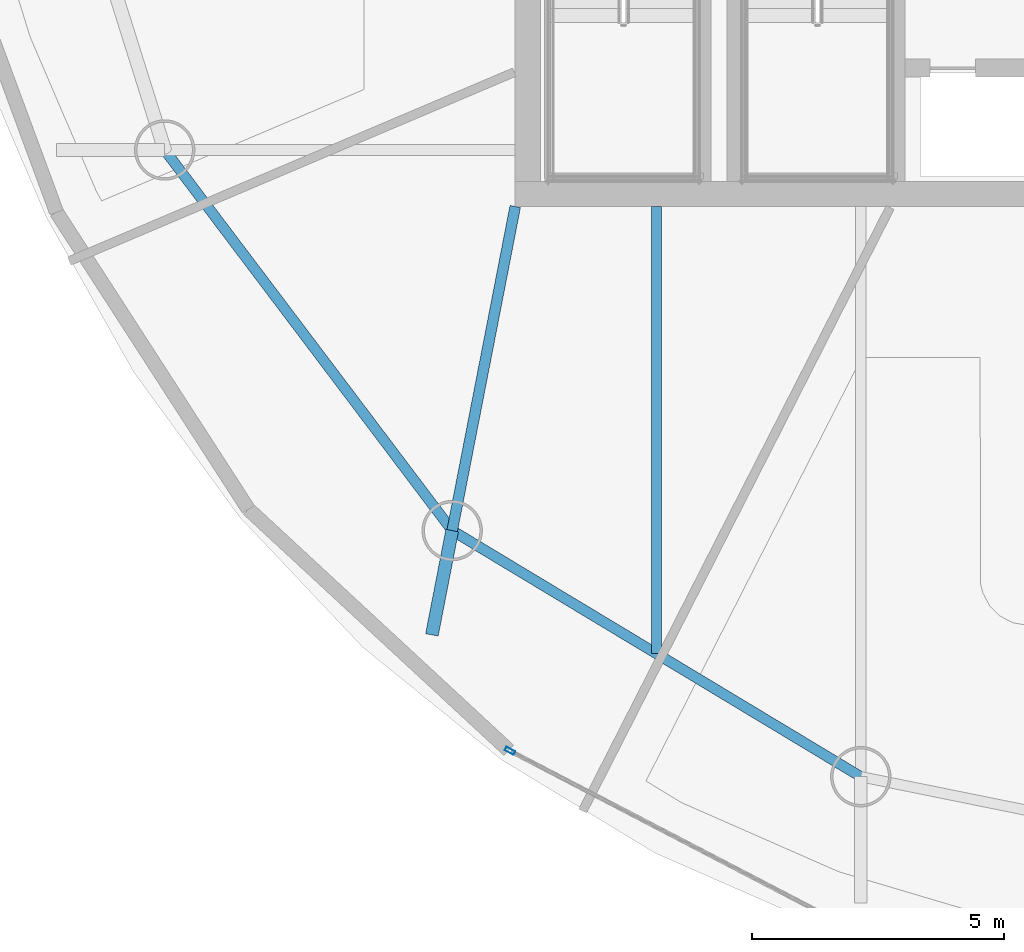
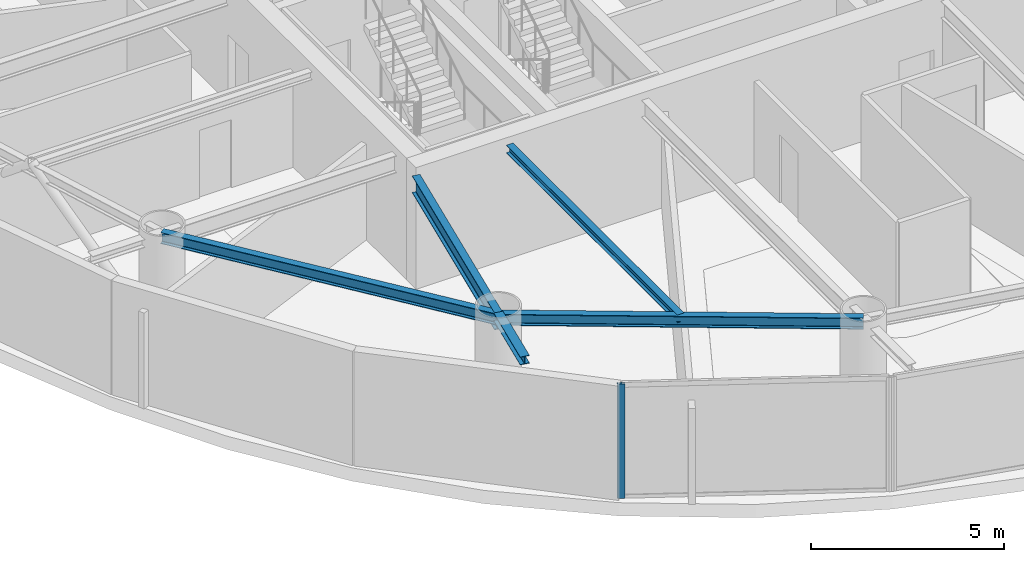
# One storey, part 2 of 25: 5 beams, 1 member, 1 element without a shape of its own.
"""IFC4 building model written with IfcOpenShell, lengths in metres."""

from ifc_helpers import new_model, si_unit, direction, frame, origin, origin_2d, place, context, subcontext, project, spatial, hollow_rectangle, i_section, extrude, material, layer, layer_set, material_profile, profile_set, type_object, element, aggregate, save


model = new_model("IFC4")

# Units and contexts
model_context = context("Model", 3, precision=1e-05, world=origin(), true_north=direction((0.0, 1.0)))
body_context = subcontext(model_context, "Body", "Model", "MODEL_VIEW")
ifc_project = project(units=[si_unit("LENGTHUNIT", "METRE"), si_unit("AREAUNIT", "SQUARE_METRE"), si_unit("VOLUMEUNIT", "CUBIC_METRE"), si_unit("PLANEANGLEUNIT", "RADIAN"), si_unit("MASSUNIT", "GRAM", prefix="KILO")], contexts=[model_context])

# Site, building, storey
site_placement = place(None, origin())
site = spatial("IfcSite", under=ifc_project, at=site_placement, CompositionType="ELEMENT")
building_placement = place(site_placement, origin())
building = spatial("IfcBuilding", under=site, at=building_placement, Name="Bramvorn Convention Spire", CompositionType="ELEMENT")
storey_placement = place(building_placement, frame((0.0, 0.0, 171.199951171875)))
storey = spatial("IfcBuildingStorey", under=building, at=storey_placement, Name="L43", CompositionType="ELEMENT", Elevation=171.199951171875)

# Beams
ifc_material_1 = material(Name="Steel CSA G40.21 Grade 350 (350W)", Category="steel")
ifc_material_profile_1 = material_profile(ifc_material_1, i_section(OverallWidth=0.201904296875, OverallDepth=0.2470703125, WebThickness=0.00732421875, FlangeThickness=0.010986328125, FilletRadius=0.011962890625, at=origin_2d()))
ifc_profile_set_1 = profile_set([ifc_material_profile_1], Name="Steel CSA G40.21 Grade 350 (350W) - W250X49")
beam_type_1 = type_object("IfcBeamType", Name="BM-W250X49", PredefinedType="JOIST", material=ifc_profile_set_1)
beam_1_placement = place(storey_placement, frame((29.554443359375, 18.550048828125, 3.49658203125), z_axis=(0.0, -1.0, 0.0), x_axis=(1.0, 0.0, 0.0)))
element("IfcBeam", 1, at=beam_1_placement, inside=storey, type_object=beam_type_1, Name="L43 composite floor joist 13", PredefinedType="JOIST", context=body_context, shape_type="SweptSolid", body=[
    extrude(i_section(OverallWidth=0.201904296875, OverallDepth=0.2470703125, WebThickness=0.00732421875, FlangeThickness=0.010986328125, FilletRadius=0.011962890625, at=origin_2d()), origin(), (0.0, 0.0, 1.0), 8.878662109375),
])
ifc_material_profile_2 = material_profile(ifc_material_1, i_section(OverallWidth=0.25390625, OverallDepth=0.2529296875, WebThickness=0.008544921875, FlangeThickness=0.01416015625, FilletRadius=0.011962890625, at=origin_2d()))
ifc_profile_set_2 = profile_set([ifc_material_profile_2], Name="Steel CSA G40.21 Grade 350 (350W) - W250X73")
beam_type_2 = type_object("IfcBeamType", Name="BM-W250X73", PredefinedType="BEAM", material=ifc_profile_set_2)
beam_2_placement = place(storey_placement, frame((25.498046875, 12.114990234375, 3.49365234375), z_axis=(-0.190971888372, -0.98159550623, 0.0), x_axis=(0.98159550623, -0.190971888372, 0.0)))
element("IfcBeam", 2, at=beam_2_placement, inside=storey, type_object=beam_type_2, Name="L43 slab-edge cantilever tip beam MC13", PredefinedType="BEAM", context=body_context, shape_type="SweptSolid", body=[
    extrude(i_section(OverallWidth=0.25390625, OverallDepth=0.2529296875, WebThickness=0.008544921875, FlangeThickness=0.01416015625, FilletRadius=0.011962890625, at=origin_2d()), origin(), (0.0, 0.0, 1.0), 2.109375),
])
ifc_material_profile_3 = material_profile(ifc_material_1, i_section(OverallWidth=0.205078125, OverallDepth=0.35400390625, WebThickness=0.009521484375, FlangeThickness=0.016845703125, FilletRadius=0.014892578125, at=origin_2d()))
ifc_profile_set_3 = profile_set([ifc_material_profile_3], Name="Steel CSA G40.21 Grade 350 (350W) - W360X79")
beam_type_3 = type_object("IfcBeamType", Name="BM-W360X79", PredefinedType="JOIST", material=ifc_profile_set_3)
for number, where, z_axis, x_axis, name in (
    (3, (19.78955078125, 19.672607421875, 3.443115234375), (0.602718581414, -0.797953827999, 0.0), (0.797953827999, 0.602718581414, 0.0), "L43 mega-column ring beam 12"),
    (4, (25.498046875, 12.114990234375, 3.443115234375), (0.856581795745, -0.516011266543, 0.0), (0.516011266543, 0.856581795745, 0.0), "L43 mega-column ring beam 13"),
):
    element("IfcBeam", number, at=place(storey_placement, frame(where, z_axis=z_axis, x_axis=x_axis)), inside=storey, type_object=beam_type_3, Name=name, PredefinedType="JOIST", context=body_context, shape_type="SweptSolid", body=[
        extrude(i_section(OverallWidth=0.205078125, OverallDepth=0.35400390625, WebThickness=0.009521484375, FlangeThickness=0.016845703125, FilletRadius=0.014892578125, at=origin_2d()), origin(), (0.0, 0.0, 1.0), 9.47119140625),
    ])
ifc_material_profile_4 = material_profile(ifc_material_1, i_section(OverallWidth=0.2119140625, OverallDepth=0.5439453125, WebThickness=0.01318359375, FlangeThickness=0.021240234375, FilletRadius=0.01904296875, at=origin_2d()))
ifc_profile_set_4 = profile_set([ifc_material_profile_4], Name="Steel CSA G40.21 Grade 350 (350W) - W530X123")
beam_type_4 = type_object("IfcBeamType", Name="BM-W530X123", PredefinedType="BEAM", material=ifc_profile_set_4)
beam_3_placement = place(storey_placement, frame((26.75, 18.550048828125, 3.34814453125), z_axis=(-0.190971329886, -0.981595614885, 0.0), x_axis=(0.981595614885, -0.190971329886, 0.0)))
element("IfcBeam", 5, at=beam_3_placement, inside=storey, type_object=beam_type_4, Name="L43 radial floor girder MC13", PredefinedType="BEAM", context=body_context, shape_type="SweptSolid", body=[
    extrude(i_section(OverallWidth=0.2119140625, OverallDepth=0.5439453125, WebThickness=0.01318359375, FlangeThickness=0.021240234375, FilletRadius=0.01904296875, at=origin_2d()), origin(), (0.0, 0.0, 1.0), 6.5556640625),
])

# Curtain wall, member
ifc_material_2 = material(Name="Anodised Bronze Unitised Curtain Wall", Category="aluminium")
ifc_layer = layer(ifc_material_2, 0.179931640625)
ifc_layer_set = layer_set([ifc_layer], Name="Anodised Bronze Unitised Curtain Wall - CW-OFF-FRIT")
curtain_wall_type = type_object("IfcCurtainWallType", Name="CW-OFF-FRIT", PredefinedType="USERDEFINED", material=ifc_layer_set)
curtain_wall_placement = place(storey_placement, origin())
curtain_wall = element("IfcCurtainWall", 6, at=curtain_wall_placement, inside=storey, type_object=curtain_wall_type, Name="L43 fritted glass curtain wall 19", ObjectType="UNITISED CURTAIN WALL", PredefinedType="USERDEFINED")
ifc_material_3 = material(Name="Anodised Bronze Aluminium 6063-T6", Category="aluminium")
ifc_material_profile_5 = material_profile(ifc_material_3, hollow_rectangle(XDim=0.080078125, YDim=0.199951171875, WallThickness=0.00390625, InnerFilletRadius=0.0009765625, OuterFilletRadius=0.00390625, at=origin_2d()))
ifc_profile_set_5 = profile_set([ifc_material_profile_5], Name="Anodised Bronze Aluminium 6063-T6 - CWM80X200")
member_type = type_object("IfcMemberType", Name="CW-MUL-180", PredefinedType="MULLION", material=ifc_profile_set_5)
member_placement = place(storey_placement, frame((26.64697265625, 7.739990234375, 0.0), z_axis=(0.0, 0.0, 1.0), x_axis=(-0.461812531974, -0.886977556262, 0.0)))
member = element("IfcMember", 7, at=member_placement, type_object=member_type, Name="CW3 mullion 2", PredefinedType="MULLION", context=body_context, shape_type="SweptSolid", body=[
    extrude(hollow_rectangle(XDim=0.080078125, YDim=0.199951171875, WallThickness=0.00390625, InnerFilletRadius=0.0009765625, OuterFilletRadius=0.00390625, at=origin_2d()), origin(), (0.0, 0.0, 1.0), 3.6201171875),
])
aggregate(curtain_wall, [member])

save(model, "model.ifc")
